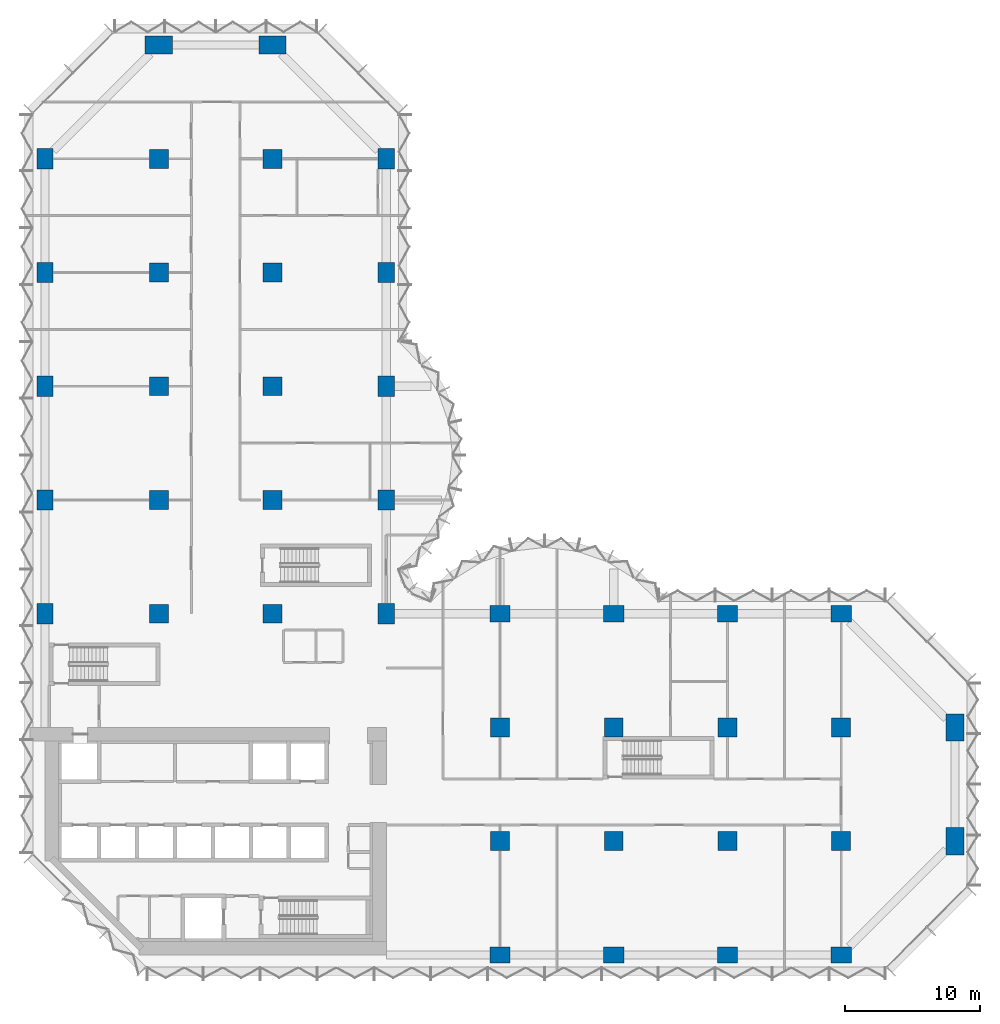
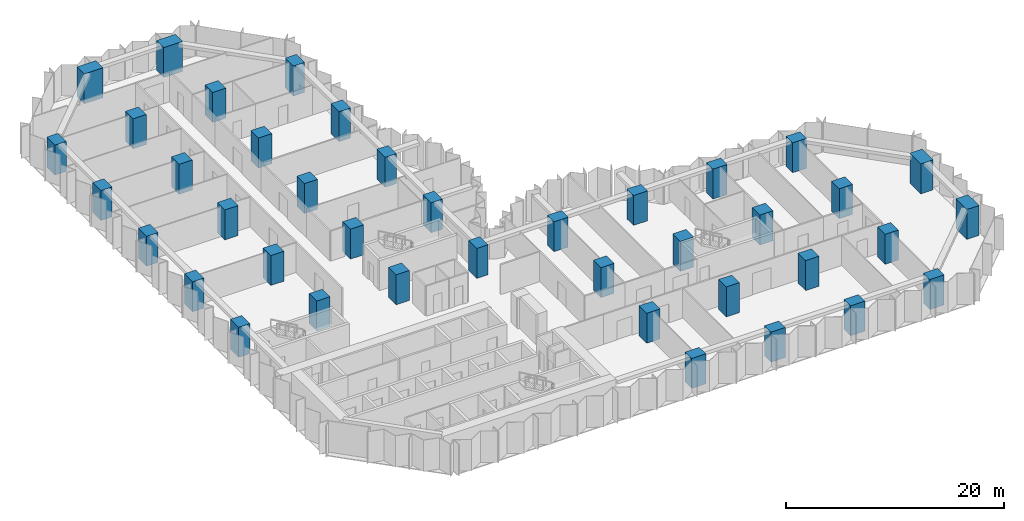
# One storey, part 1 of 15: 40 columns.
"""IFC4 building model written with IfcOpenShell, lengths in metres."""

from ifc_helpers import new_model, si_unit, direction, frame, origin, origin_2d, place, context, subcontext, project, spatial, rectangle, extrude, material, material_profile, profile_set, type_object, element, save


model = new_model("IFC4")

# Units and contexts
model_context = context("Model", 3, precision=1e-05, world=origin(), true_north=direction((0.0, 1.0)))
body_context = subcontext(model_context, "Body", "Model", "MODEL_VIEW")
ifc_project = project(units=[si_unit("LENGTHUNIT", "METRE"), si_unit("AREAUNIT", "SQUARE_METRE"), si_unit("VOLUMEUNIT", "CUBIC_METRE"), si_unit("PLANEANGLEUNIT", "RADIAN"), si_unit("MASSUNIT", "GRAM", prefix="KILO")], contexts=[model_context])

# Site, building, storey
site_placement = place(None, origin())
site = spatial("IfcSite", under=ifc_project, at=site_placement, CompositionType="ELEMENT")
building_placement = place(site_placement, origin())
building = spatial("IfcBuilding", under=site, at=building_placement, Name="Brevane Broadcast Tower", CompositionType="ELEMENT")
storey_placement = place(building_placement, frame((0.0, 0.0, 76.10009765625)))
storey = spatial("IfcBuildingStorey", under=building, at=storey_placement, Name="L17", CompositionType="ELEMENT", Elevation=76.10009765625)

# Columns
ifc_material = material(Name="Concrete C80/95", Category="concrete")
ifc_material_profile_1 = material_profile(ifc_material, rectangle(XDim=1.199951171875, YDim=1.5, at=origin_2d()), Name="RC 1200x1500")
ifc_profile_set_1 = profile_set([ifc_material_profile_1], Name="Concrete C80/95")
column_type_1 = type_object("IfcColumnType", Name="RC COLUMN EDGE 1200x1500 C80/95", PredefinedType="COLUMN", material=ifc_profile_set_1)
for number, where, z_axis, x_axis, name in (
    (1, (0.0, 25.199951171875, 0.0), (0.0, 0.0, 1.0), (1.0, 0.0, 0.0), "CE5 1/D"),
    (2, (0.0, 33.60009765625, 0.0), (0.0, 0.0, 1.0), (1.0, 0.0, 0.0), "CE5 1/E"),
    (3, (0.0, 42.0, 0.0), (0.0, 0.0, 1.0), (1.0, 0.0, 0.0), "CE5 1/F"),
    (4, (0.0, 50.39990234375, 0.0), (0.0, 0.0, 1.0), (1.0, 0.0, 0.0), "CE5 1/G"),
    (5, (0.0, 58.800048828125, 0.0), (0.0, 0.0, 1.0), (1.0, 0.0, 0.0), "CE5 1/H"),
    (6, (25.199951171875, 25.199951171875, 0.0), (0.0, 0.0, 1.0), (1.0, 0.0, 0.0), "CE5 4/D"),
    (7, (25.199951171875, 33.60009765625, 0.0), (0.0, 0.0, 1.0), (1.0, 0.0, 0.0), "CE5 4/E"),
    (8, (25.199951171875, 42.0, 0.0), (0.0, 0.0, 1.0), (1.0, 0.0, 0.0), "CE5 4/F"),
    (9, (25.199951171875, 50.39990234375, 0.0), (0.0, 0.0, 1.0), (1.0, 0.0, 0.0), "CE5 4/G"),
    (10, (25.199951171875, 58.800048828125, 0.0), (0.0, 0.0, 1.0), (1.0, 0.0, 0.0), "CE5 4/H"),
    (11, (33.60009765625, 0.0, 0.0), (0.0, 0.0, 1.0), (0.0, 1.0, 0.0), "CE5 5/A"),
    (12, (33.60009765625, 25.199951171875, 0.0), (0.0, 0.0, 1.0), (0.0, 1.0, 0.0), "CE5 5/D"),
    (13, (42.0, 0.0, 0.0), (0.0, 0.0, 1.0), (0.0, 1.0, 0.0), "CE5 6/A"),
    (14, (42.0, 25.199951171875, 0.0), (0.0, 0.0, 1.0), (0.0, 1.0, 0.0), "CE5 6/D"),
    (15, (50.39990234375, 0.0, 0.0), (0.0, 0.0, 1.0), (0.0, 1.0, 0.0), "CE5 7/A"),
    (16, (50.39990234375, 25.199951171875, 0.0), (0.0, 0.0, 1.0), (0.0, 1.0, 0.0), "CE5 7/D"),
    (17, (58.800048828125, 0.0, 0.0), (0.0, 0.0, 1.0), (0.0, 1.0, 0.0), "CE5 8/A"),
    (18, (58.800048828125, 25.199951171875, 0.0), (0.0, 0.0, 1.0), (0.0, 1.0, 0.0), "CE5 8/D"),
):
    element("IfcColumn", number, at=place(storey_placement, frame(where, z_axis=z_axis, x_axis=x_axis)), inside=storey, type_object=column_type_1, Name=name, PredefinedType="COLUMN", context=body_context, shape_type="SweptSolid", body=[
        extrude(rectangle(XDim=1.199951171875, YDim=1.5, at=origin_2d()), origin(), (0.0, 0.0, 1.0), 3.349853515625),
    ])
ifc_material_profile_2 = material_profile(ifc_material, rectangle(XDim=1.39990234375, YDim=1.39990234375, at=origin_2d()), Name="RC 1400x1400")
ifc_profile_set_2 = profile_set([ifc_material_profile_2], Name="Concrete C80/95")
column_type_2 = type_object("IfcColumnType", Name="RC COLUMN INTERIOR 1400x1400 C80/95", PredefinedType="COLUMN", material=ifc_profile_set_2)
for number, where, z_axis, x_axis, name in (
    (19, (8.39990234375, 25.199951171875, 0.0), (0.0, 0.0, 1.0), (1.0, 0.0, 0.0), "CI6 2/D"),
    (20, (8.39990234375, 33.60009765625, 0.0), (0.0, 0.0, 1.0), (1.0, 0.0, 0.0), "CI6 2/E"),
    (21, (8.39990234375, 42.0, 0.0), (0.0, 0.0, 1.0), (1.0, 0.0, 0.0), "CI6 2/F"),
    (22, (8.39990234375, 50.39990234375, 0.0), (0.0, 0.0, 1.0), (1.0, 0.0, 0.0), "CI6 2/G"),
    (23, (8.39990234375, 58.800048828125, 0.0), (0.0, 0.0, 1.0), (1.0, 0.0, 0.0), "CI6 2/H"),
    (24, (16.800048828125, 25.199951171875, 0.0), (0.0, 0.0, 1.0), (1.0, 0.0, 0.0), "CI6 3/D"),
    (25, (16.800048828125, 33.60009765625, 0.0), (0.0, 0.0, 1.0), (1.0, 0.0, 0.0), "CI6 3/E"),
    (26, (16.800048828125, 42.0, 0.0), (0.0, 0.0, 1.0), (1.0, 0.0, 0.0), "CI6 3/F"),
    (27, (16.800048828125, 50.39990234375, 0.0), (0.0, 0.0, 1.0), (1.0, 0.0, 0.0), "CI6 3/G"),
    (28, (16.800048828125, 58.800048828125, 0.0), (0.0, 0.0, 1.0), (1.0, 0.0, 0.0), "CI6 3/H"),
    (29, (33.60009765625, 8.39990234375, 0.0), (0.0, 0.0, 1.0), (1.0, 0.0, 0.0), "CI6 5/B"),
    (30, (33.60009765625, 16.800048828125, 0.0), (0.0, 0.0, 1.0), (1.0, 0.0, 0.0), "CI6 5/C"),
    (31, (42.0, 8.39990234375, 0.0), (0.0, 0.0, 1.0), (1.0, 0.0, 0.0), "CI6 6/B"),
    (32, (42.0, 16.800048828125, 0.0), (0.0, 0.0, 1.0), (1.0, 0.0, 0.0), "CI6 6/C"),
    (33, (50.39990234375, 8.39990234375, 0.0), (0.0, 0.0, 1.0), (1.0, 0.0, 0.0), "CI6 7/B"),
    (34, (50.39990234375, 16.800048828125, 0.0), (0.0, 0.0, 1.0), (1.0, 0.0, 0.0), "CI6 7/C"),
    (35, (58.800048828125, 8.39990234375, 0.0), (0.0, 0.0, 1.0), (1.0, 0.0, 0.0), "CI6 8/B"),
    (36, (58.800048828125, 16.800048828125, 0.0), (0.0, 0.0, 1.0), (1.0, 0.0, 0.0), "CI6 8/C"),
):
    element("IfcColumn", number, at=place(storey_placement, frame(where, z_axis=z_axis, x_axis=x_axis)), inside=storey, type_object=column_type_2, Name=name, PredefinedType="COLUMN", context=body_context, shape_type="SweptSolid", body=[
        extrude(rectangle(XDim=1.39990234375, YDim=1.39990234375, at=origin_2d()), origin(), (0.0, 0.0, 1.0), 3.349853515625),
    ])
ifc_material_profile_3 = material_profile(ifc_material, rectangle(XDim=1.300048828125, YDim=2.0, at=origin_2d()), Name="RC 1300x2000")
ifc_profile_set_3 = profile_set([ifc_material_profile_3], Name="Concrete C80/95")
column_type_3 = type_object("IfcColumnType", Name="RC COLUMN WING-END 1300x2000 C80/95", PredefinedType="COLUMN", material=ifc_profile_set_3)
for number, where, z_axis, x_axis, name in (
    (37, (8.39990234375, 67.199951171875, 0.0), (0.0, 0.0, 1.0), (0.0, 1.0, 0.0), "CW7 2/I"),
    (38, (16.800048828125, 67.199951171875, 0.0), (0.0, 0.0, 1.0), (0.0, 1.0, 0.0), "CW7 3/I"),
    (39, (67.199951171875, 8.39990234375, 0.0), (0.0, 0.0, 1.0), (1.0, 0.0, 0.0), "CW7 9/B"),
    (40, (67.199951171875, 16.800048828125, 0.0), (0.0, 0.0, 1.0), (1.0, 0.0, 0.0), "CW7 9/C"),
):
    element("IfcColumn", number, at=place(storey_placement, frame(where, z_axis=z_axis, x_axis=x_axis)), inside=storey, type_object=column_type_3, Name=name, PredefinedType="COLUMN", context=body_context, shape_type="SweptSolid", body=[
        extrude(rectangle(XDim=1.300048828125, YDim=2.0, at=origin_2d()), origin(), (0.0, 0.0, 1.0), 3.349853515625),
    ])

save(model, "model.ifc")
